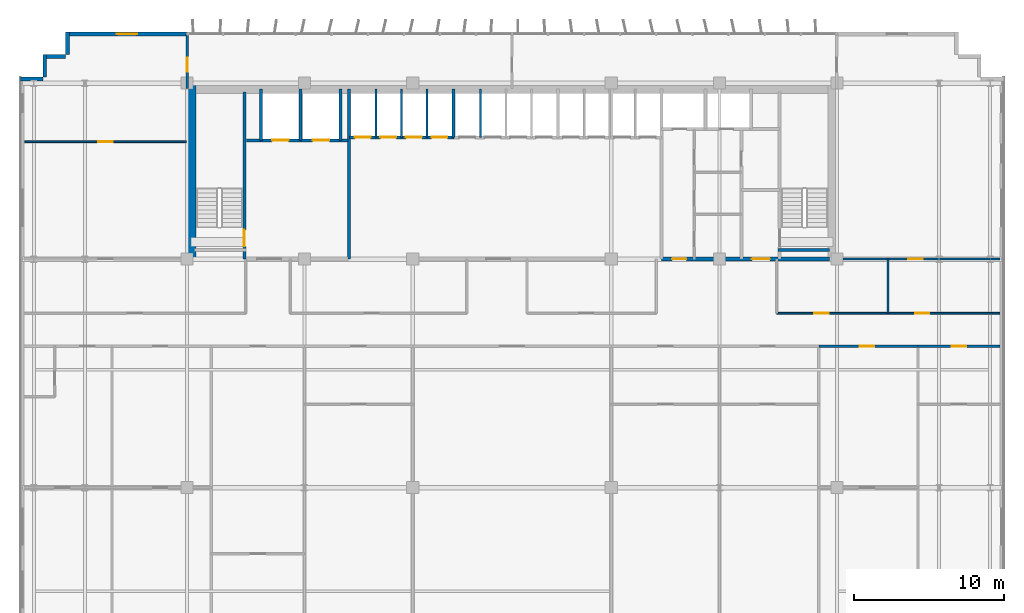
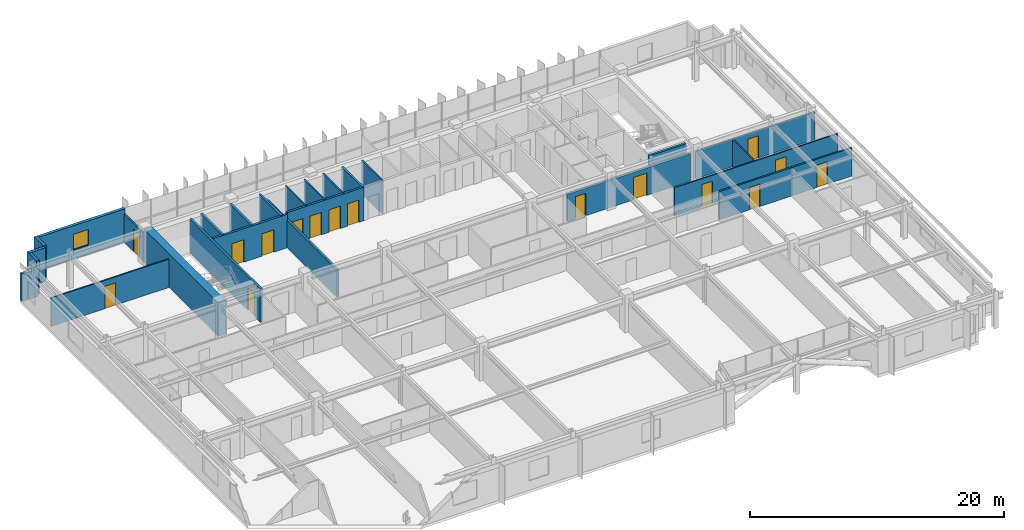
# One storey, part 21 of 26: 27 walls, 16 doors, 1 window, 17 openings.
"""IFC4 building model written with IfcOpenShell, lengths in metres."""

from ifc_helpers import new_model, si_unit, direction, frame, frame_2d, origin, place, context, subcontext, project, spatial, rectangle, extrude, source, transform, mapped, material, layer, layer_set, type_object, element, fill, save


model = new_model("IFC4")

# Units and contexts
model_context = context("Model", 3, precision=1e-05, world=origin(), true_north=direction((0.0, 1.0)))
body_context = subcontext(model_context, "Body", "Model", "MODEL_VIEW")
ifc_project = project(units=[si_unit("LENGTHUNIT", "METRE"), si_unit("AREAUNIT", "SQUARE_METRE"), si_unit("VOLUMEUNIT", "CUBIC_METRE"), si_unit("PLANEANGLEUNIT", "RADIAN"), si_unit("MASSUNIT", "GRAM", prefix="KILO")], contexts=[model_context])

# Site, building, storey
site_placement = place(None, origin())
site = spatial("IfcSite", under=ifc_project, at=site_placement, CompositionType="ELEMENT")
building_placement = place(site_placement, origin())
building = spatial("IfcBuilding", under=site, at=building_placement, Name="Trelvane Seafront Commons", CompositionType="ELEMENT")
storey_placement = place(building_placement, frame((0.0, 0.0, 128.5)))
storey = spatial("IfcBuildingStorey", under=building, at=storey_placement, Name="L33", CompositionType="ELEMENT", Elevation=128.5)

# Wall, opening, window
ifc_material_1 = material(Name="Precast concrete C40/50", Category="concrete")
ifc_layer_1 = layer(ifc_material_1, 0.260009765625, Name="ARCH-WALL-EXT260")
ifc_layer_set_1 = layer_set([ifc_layer_1], Name="Precast concrete C40/50")
wall_type_1 = type_object("IfcWallType", Name="ARCH-WALL-EXT260", PredefinedType="SOLIDWALL", material=ifc_layer_set_1)
wall_1_placement = place(storey_placement, frame((7.60009765625, 48.3701171875, 0.0), z_axis=(0.0, 0.0, 1.0), x_axis=(1.0, 0.0, 0.0)))
wall_1 = element("IfcWall", 1, at=wall_1_placement, inside=storey, type_object=wall_type_1, Name="EW-L33-NW-0629", PredefinedType="SOLIDWALL", context=body_context, shape_type="SweptSolid", body=[
    extrude(rectangle(XDim=8.0, YDim=0.260009765625, at=frame_2d((4.0, 0.0))), origin(), (0.0, 0.0, 1.0), 3.219970703125),
])
opening_1_placement = place(wall_1_placement, frame((3.324951171875, 0.0, 0.89990234375)))
opening_1 = element("IfcOpeningElement", 2, at=opening_1_placement, cuts=wall_1, Name="Opening W09", PredefinedType="OPENING", context=body_context, shape_type="SweptSolid", body=[
    extrude(rectangle(XDim=1.35009765625, YDim=1.5, at=frame_2d((0.675048828125, 0.75))), frame((0.0, 0.139892578125, 0.0), z_axis=(0.0, -1.0, 0.0), x_axis=(1.0, 0.0, 0.0)), (0.0, 0.0, 1.0), 0.280029296875),
])
ifc_material_2 = material(Name="Low-E coastal double glazing", Category="glass")
window_type = type_object("IfcWindowType", Name="ARCH-WIN-W09", PartitioningType="SINGLE_PANEL", PredefinedType="WINDOW", material=ifc_material_2)
shared_shape_1 = source(origin(), body_context, "Body", "SweptSolid", [
    extrude(rectangle(XDim=1.35009765625, YDim=1.5, at=frame_2d((0.675048828125, 0.75))), frame((0.0, 0.030029296875, 0.0), z_axis=(0.0, -1.0, 0.0), x_axis=(1.0, 0.0, 0.0)), (0.0, 0.0, 1.0), 0.06005859375),
])
window_placement = place(opening_1_placement, origin())
window = element("IfcWindow", 3, at=window_placement, inside=storey, type_object=window_type, Name="WIN-L33-00739", OverallHeight=1.5, OverallWidth=1.35009765625, PartitioningType="SINGLE_PANEL", PredefinedType="WINDOW", context=body_context, shape_type="MappedRepresentation", body=[
    mapped(shared_shape_1, transform((0.0, 0.0, 0.0), x_axis=(1.0, 0.0, 0.0), y_axis=(0.0, 1.0, 0.0), z_axis=(0.0, 0.0, 1.0), scale=1.0)),
])
fill(opening_1, window)

# Walls
wall_2_placement = place(storey_placement, frame((4.5, 45.3701171875, 0.0), z_axis=(0.0, 0.0, 1.0), x_axis=(1.0, 0.0, 0.0)))
element("IfcWall", 4, at=wall_2_placement, inside=storey, type_object=wall_type_1, Name="EW-L33-00635", PredefinedType="SOLIDWALL", context=body_context, shape_type="SweptSolid", body=[
    extrude(rectangle(XDim=1.5, YDim=0.260009765625, at=frame_2d((0.75, 0.0))), origin(), (0.0, 0.0, 1.0), 2.632080078125),
])
for number, where, z_axis, x_axis, name in (
    (5, (6.1298828125, 45.5, 0.0), (0.0, 0.0, 1.0), (0.0, 1.0, 0.0), "EW-L33-00636"),
    (6, (6.0, 46.8701171875, 0.0), (0.0, 0.0, 1.0), (1.0, 0.0, 0.0), "EW-L33-00637"),
    (7, (7.6298828125, 47.0, 0.0), (0.0, 0.0, 1.0), (0.0, 1.0, 0.0), "EW-L33-00638"),
):
    element("IfcWall", number, at=place(storey_placement, frame(where, z_axis=z_axis, x_axis=x_axis)), inside=storey, type_object=wall_type_1, Name=name, PredefinedType="SOLIDWALL", context=body_context, shape_type="SweptSolid", body=[
        extrude(rectangle(XDim=1.5, YDim=0.260009765625, at=frame_2d((0.75, 0.0))), origin(), (0.0, 0.0, 1.0), 3.219970703125),
    ])

# Wall, openings, doors
ifc_material_3 = material(Name="Concrete C40/50", Category="concrete")
ifc_layer_2 = layer(ifc_material_3, 0.25, Name="ARCH-WALL-FIRE250")
ifc_layer_set_2 = layer_set([ifc_layer_2], Name="Concrete C40/50")
wall_type_2 = type_object("IfcWallType", Name="ARCH-WALL-FIRE250", PredefinedType="PARTITIONING", material=ifc_layer_set_2)
wall_3_placement = place(storey_placement, frame((47.14990234375, 33.39990234375, 0.0), z_axis=(0.0, 0.0, 1.0), x_axis=(1.0, 0.0, 0.0)))
wall_3 = element("IfcWall", 8, at=wall_3_placement, inside=storey, type_object=wall_type_2, Name="W-L33-CS-EAST-038", PredefinedType="PARTITIONING", context=body_context, shape_type="SweptSolid", body=[
    extrude(rectangle(XDim=11.150146484375, YDim=0.25, at=frame_2d((5.5751953125, 0.0))), origin(), (0.0, 0.0, 1.0), 2.632080078125),
])
opening_2_placement = place(wall_3_placement, frame((0.699951171875, 0.0, 0.0)))
opening_2 = element("IfcOpeningElement", 9, at=opening_2_placement, cuts=wall_3, Name="Opening FD-L33-25", PredefinedType="OPENING", context=body_context, shape_type="SweptSolid", body=[
    extrude(rectangle(XDim=0.949951171875, YDim=2.14990234375, at=frame_2d((0.47509765625, 1.074951171875))), frame((0.0, 0.135009765625, 0.0), z_axis=(0.0, -1.0, 0.0), x_axis=(1.0, 0.0, 0.0)), (0.0, 0.0, 1.0), 0.27001953125),
])
opening_3_placement = place(wall_3_placement, frame((6.0, 0.0, 0.0)))
opening_3 = element("IfcOpeningElement", 10, at=opening_3_placement, cuts=wall_3, Name="Opening FD-L33-26", PredefinedType="OPENING", context=body_context, shape_type="SweptSolid", body=[
    extrude(rectangle(XDim=1.199951171875, YDim=2.14990234375, at=frame_2d((0.60009765625, 1.074951171875))), frame((0.0, 0.135009765625, 0.0), z_axis=(0.0, -1.0, 0.0), x_axis=(1.0, 0.0, 0.0)), (0.0, 0.0, 1.0), 0.27001953125),
])
ifc_material_4 = material(Name="Powder-coated aluminium frame", Category="aluminium")
door_type_1 = type_object("IfcDoorType", Name="ARCH-DR-FD60-950", OperationType="NOTDEFINED", PredefinedType="DOOR", material=ifc_material_4)
shared_shape_2 = source(origin(), body_context, "Body", "SweptSolid", [
    extrude(rectangle(XDim=0.949951171875, YDim=2.14990234375, at=frame_2d((0.47509765625, 1.074951171875))), frame((0.0, 0.02490234375, 0.0), z_axis=(0.0, -1.0, 0.0), x_axis=(1.0, 0.0, 0.0)), (0.0, 0.0, 1.0), 0.050048828125),
])
door_1_placement = place(opening_2_placement, origin())
door_1 = element("IfcDoor", 11, at=door_1_placement, inside=storey, type_object=door_type_1, Name="L33 Core Service Lobby Door", OperationType="SINGLE_SWING_LEFT", OverallHeight=2.14990234375, OverallWidth=0.949951171875, PredefinedType="DOOR", context=body_context, shape_type="MappedRepresentation", body=[
    mapped(shared_shape_2, transform((0.0, 0.0, 0.0), x_axis=(1.0, 0.0, 0.0), y_axis=(0.0, 1.0, 0.0), z_axis=(0.0, 0.0, 1.0), scale=1.0)),
])
fill(opening_2, door_1)
door_type_2 = type_object("IfcDoorType", Name="ARCH-DR-FD60-1200", OperationType="NOTDEFINED", PredefinedType="DOOR", material=ifc_material_4)
shared_shape_3 = source(origin(), body_context, "Body", "SweptSolid", [
    extrude(rectangle(XDim=1.199951171875, YDim=2.14990234375, at=frame_2d((0.60009765625, 1.074951171875))), frame((0.0, 0.02490234375, 0.0), z_axis=(0.0, -1.0, 0.0), x_axis=(1.0, 0.0, 0.0)), (0.0, 0.0, 1.0), 0.050048828125),
])
door_2_placement = place(opening_3_placement, origin())
door_2 = element("IfcDoor", 12, at=door_2_placement, inside=storey, type_object=door_type_2, Name="L33 East Stair Vestibule Fire Door", OperationType="SINGLE_SWING_RIGHT", OverallHeight=2.14990234375, OverallWidth=1.199951171875, PredefinedType="DOOR", context=body_context, shape_type="MappedRepresentation", body=[
    mapped(shared_shape_3, transform((0.0, 0.0, 0.0), x_axis=(1.0, 0.0, 0.0), y_axis=(0.0, 1.0, 0.0), z_axis=(0.0, 0.0, 1.0), scale=1.0)),
])
fill(opening_3, door_2)

# Walls
ifc_material_5 = material(Name="Gypsum Drywall Acoustic Partition")
ifc_layer_3 = layer(ifc_material_5, 0.1201171875, Name="ARCH-WALL-PART120")
ifc_layer_set_3 = layer_set([ifc_layer_3], Name="Gypsum Drywall Acoustic Partition")
wall_type_3 = type_object("IfcWallType", Name="ARCH-WALL-PART120", PredefinedType="PARTITIONING", material=ifc_layer_set_3)
for number, where, z_axis, x_axis, name in (
    (13, (28.14990234375, 41.5, 0.0), (0.0, 0.0, 1.0), (0.0, 1.0, 0.0), "W-L33-PL-DIV1-016"),
    (14, (29.85009765625, 41.5, 0.0), (0.0, 0.0, 1.0), (0.0, 1.0, 0.0), "W-L33-PL-DIV2-017"),
    (15, (31.550048828125, 41.5, 0.0), (0.0, 0.0, 1.0), (0.0, 1.0, 0.0), "W-L33-PL-DIV3-018"),
    (16, (35.10009765625, 41.5, 0.0), (0.0, 0.0, 1.0), (0.0, 1.0, 0.0), "W-L33-PM-DIV1-020"),
):
    element("IfcWall", number, at=place(storey_placement, frame(where, z_axis=z_axis, x_axis=x_axis)), inside=storey, type_object=wall_type_3, Name=name, PredefinedType="PARTITIONING", context=body_context, shape_type="SweptSolid", body=[
        extrude(rectangle(XDim=3.199951171875, YDim=0.1201171875, at=frame_2d((1.60009765625, 0.0))), origin(), (0.0, 0.0, 1.0), 3.219970703125),
    ])

# Wall, openings, doors
wall_4_placement = place(storey_placement, frame((54.800048828125, 29.800048828125, 0.0), z_axis=(0.0, 0.0, 1.0), x_axis=(1.0, 0.0, 0.0)))
wall_4 = element("IfcWall", 17, at=wall_4_placement, inside=storey, type_object=wall_type_3, Name="W-L33-CORR-N-E-042", PredefinedType="PARTITIONING", context=body_context, shape_type="SweptSolid", body=[
    extrude(rectangle(XDim=14.849853515625, YDim=0.1201171875, at=frame_2d((7.4248046875, 0.0))), origin(), (0.0, 0.0, 1.0), 2.719970703125),
])
opening_4_placement = place(wall_4_placement, frame((2.5, 0.0, 0.0)))
opening_4 = element("IfcOpeningElement", 18, at=opening_4_placement, cuts=wall_4, Name="Opening D-L33-30", PredefinedType="OPENING", context=body_context, shape_type="SweptSolid", body=[
    extrude(rectangle(XDim=0.949951171875, YDim=2.14990234375, at=frame_2d((0.47509765625, 1.074951171875))), frame((0.0, 0.070068359375, 0.0), z_axis=(0.0, -1.0, 0.0), x_axis=(1.0, 0.0, 0.0)), (0.0, 0.0, 1.0), 0.14013671875),
])
opening_5_placement = place(wall_4_placement, frame((9.199951171875, 0.0, 0.0)))
opening_5 = element("IfcOpeningElement", 19, at=opening_5_placement, cuts=wall_4, Name="Opening D-L33-31", PredefinedType="OPENING", context=body_context, shape_type="SweptSolid", body=[
    extrude(rectangle(XDim=0.949951171875, YDim=2.14990234375, at=frame_2d((0.47509765625, 1.074951171875))), frame((0.0, 0.070068359375, 0.0), z_axis=(0.0, -1.0, 0.0), x_axis=(1.0, 0.0, 0.0)), (0.0, 0.0, 1.0), 0.14013671875),
])
ifc_material_6 = material(Name="Acoustic timber door leaf", Category="wood")
door_type_3 = type_object("IfcDoorType", Name="ARCH-DR-INT950", OperationType="NOTDEFINED", PredefinedType="DOOR", material=ifc_material_6)
door_3_placement = place(opening_4_placement, origin())
door_3 = element("IfcDoor", 20, at=door_3_placement, inside=storey, type_object=door_type_3, Name="L33 Door 30", OperationType="SINGLE_SWING_RIGHT", OverallHeight=2.14990234375, OverallWidth=0.949951171875, PredefinedType="DOOR", context=body_context, shape_type="MappedRepresentation", body=[
    mapped(shared_shape_2, transform((0.0, 0.0, 0.0), x_axis=(1.0, 0.0, 0.0), y_axis=(0.0, 1.0, 0.0), z_axis=(0.0, 0.0, 1.0), scale=1.0)),
])
fill(opening_4, door_3)
door_4_placement = place(opening_5_placement, origin())
door_4 = element("IfcDoor", 21, at=door_4_placement, inside=storey, type_object=door_type_3, Name="L33 Door 31", OperationType="SINGLE_SWING_LEFT", OverallHeight=2.14990234375, OverallWidth=0.949951171875, PredefinedType="DOOR", context=body_context, shape_type="MappedRepresentation", body=[
    mapped(shared_shape_2, transform((0.0, 0.0, 0.0), x_axis=(1.0, 0.0, 0.0), y_axis=(0.0, 1.0, 0.0), z_axis=(0.0, 0.0, 1.0), scale=1.0)),
])
fill(opening_5, door_4)

# Wall
wall_5_placement = place(storey_placement, frame((62.199951171875, 29.800048828125, 0.0), z_axis=(0.0, 0.0, 1.0), x_axis=(0.0, 1.0, 0.0)))
element("IfcWall", 22, at=wall_5_placement, inside=storey, type_object=wall_type_3, Name="W-L33-N-LAUN-DV-043", PredefinedType="PARTITIONING", context=body_context, shape_type="SweptSolid", body=[
    extrude(rectangle(XDim=3.599853515625, YDim=0.1201171875, at=frame_2d((1.7998046875, 0.0))), origin(), (0.0, 0.0, 1.0), 2.632080078125),
])

# Wall, opening, door
wall_6_placement = place(storey_placement, frame((4.800048828125, 41.199951171875, 0.0), z_axis=(0.0, 0.0, 1.0), x_axis=(1.0, 0.0, 0.0)))
wall_6 = element("IfcWall", 23, at=wall_6_placement, inside=storey, type_object=wall_type_3, Name="W-L33-NW-LGDV-050", PredefinedType="PARTITIONING", context=body_context, shape_type="SweptSolid", body=[
    extrude(rectangle(XDim=10.75, YDim=0.1201171875, at=frame_2d((5.375, 0.0))), origin(), (0.0, 0.0, 1.0), 2.719970703125),
])
opening_6_placement = place(wall_6_placement, frame((4.89990234375, 0.0, 0.0)))
opening_6 = element("IfcOpeningElement", 24, at=opening_6_placement, cuts=wall_6, Name="Opening D-L33-32", PredefinedType="OPENING", context=body_context, shape_type="SweptSolid", body=[
    extrude(rectangle(XDim=0.949951171875, YDim=2.14990234375, at=frame_2d((0.47509765625, 1.074951171875))), frame((0.0, 0.070068359375, 0.0), z_axis=(0.0, -1.0, 0.0), x_axis=(1.0, 0.0, 0.0)), (0.0, 0.0, 1.0), 0.14013671875),
])
door_5_placement = place(opening_6_placement, origin())
door_5 = element("IfcDoor", 25, at=door_5_placement, inside=storey, type_object=door_type_3, Name="L33 Door 32", OperationType="SINGLE_SWING_RIGHT", OverallHeight=2.14990234375, OverallWidth=0.949951171875, PredefinedType="DOOR", context=body_context, shape_type="MappedRepresentation", body=[
    mapped(shared_shape_2, transform((0.0, 0.0, 0.0), x_axis=(1.0, 0.0, 0.0), y_axis=(0.0, 1.0, 0.0), z_axis=(0.0, 0.0, 1.0), scale=1.0)),
])
fill(opening_6, door_5)

ifc_layer_4 = layer(ifc_material_5, 0.14990234375, Name="ARCH-WALL-PART150")
ifc_layer_set_4 = layer_set([ifc_layer_4], Name="Gypsum Drywall Acoustic Partition")
wall_type_4 = type_object("IfcWallType", Name="ARCH-WALL-PART150", PredefinedType="PARTITIONING", material=ifc_layer_set_4)
wall_7_placement = place(storey_placement, frame((58.800048828125, 33.39990234375, 0.0), z_axis=(0.0, 0.0, 1.0), x_axis=(1.0, 0.0, 0.0)))
wall_7 = element("IfcWall", 26, at=wall_7_placement, inside=storey, type_object=wall_type_4, Name="W-L33-NE-ENT-052", PredefinedType="PARTITIONING", context=body_context, shape_type="SweptSolid", body=[
    extrude(rectangle(XDim=10.849853515625, YDim=0.14990234375, at=frame_2d((5.4248046875, 0.0))), origin(), (0.0, 0.0, 1.0), 2.632080078125),
])
opening_7_placement = place(wall_7_placement, frame((4.760009765625, 0.0, 0.0)))
opening_7 = element("IfcOpeningElement", 27, at=opening_7_placement, cuts=wall_7, Name="Opening FD-L33-34", PredefinedType="OPENING", context=body_context, shape_type="SweptSolid", body=[
    extrude(rectangle(XDim=0.949951171875, YDim=2.14990234375, at=frame_2d((0.47509765625, 1.074951171875))), frame((0.0, 0.0849609375, 0.0), z_axis=(0.0, -1.0, 0.0), x_axis=(1.0, 0.0, 0.0)), (0.0, 0.0, 1.0), 0.169921875),
])
door_6_placement = place(opening_7_placement, origin())
door_6 = element("IfcDoor", 28, at=door_6_placement, inside=storey, type_object=door_type_1, Name="L33 NE Suite Entrance Door", OperationType="SINGLE_SWING_RIGHT", OverallHeight=2.14990234375, OverallWidth=0.949951171875, PredefinedType="DOOR", context=body_context, shape_type="MappedRepresentation", body=[
    mapped(shared_shape_2, transform((0.0, 0.0, 0.0), x_axis=(1.0, 0.0, 0.0), y_axis=(0.0, 1.0, 0.0), z_axis=(0.0, 0.0, 1.0), scale=1.0)),
])
fill(opening_7, door_6)

wall_8_placement = place(storey_placement, frame((15.60009765625, 44.75, 0.0), z_axis=(0.0, 0.0, 1.0), x_axis=(0.0, 1.0, 0.0)))
wall_8 = element("IfcWall", 29, at=wall_8_placement, inside=storey, type_object=wall_type_4, Name="W-L33-N-LINK-W-054", PredefinedType="PARTITIONING", context=body_context, shape_type="SweptSolid", body=[
    extrude(rectangle(XDim=3.610107421875, YDim=0.14990234375, at=frame_2d((1.80517578125, 0.0))), origin(), (0.0, 0.0, 1.0), 2.719970703125),
])
opening_8_placement = place(wall_8_placement, frame((1.10009765625, 0.0, 0.0)))
opening_8 = element("IfcOpeningElement", 30, at=opening_8_placement, cuts=wall_8, Name="Opening FD-L33-36", PredefinedType="OPENING", context=body_context, shape_type="SweptSolid", body=[
    extrude(rectangle(XDim=0.949951171875, YDim=2.14990234375, at=frame_2d((0.47509765625, 1.074951171875))), frame((0.0, 0.0849609375, 0.0), z_axis=(0.0, -1.0, 0.0), x_axis=(1.0, 0.0, 0.0)), (0.0, 0.0, 1.0), 0.169921875),
])
door_7_placement = place(opening_8_placement, origin())
door_7 = element("IfcDoor", 31, at=door_7_placement, inside=storey, type_object=door_type_1, Name="L33 Door 36", OperationType="SINGLE_SWING_RIGHT", OverallHeight=2.14990234375, OverallWidth=0.949951171875, PredefinedType="DOOR", context=body_context, shape_type="MappedRepresentation", body=[
    mapped(shared_shape_2, transform((0.0, 0.0, 0.0), x_axis=(1.0, 0.0, 0.0), y_axis=(0.0, 1.0, 0.0), z_axis=(0.0, 0.0, 1.0), scale=1.0)),
])
fill(opening_8, door_7)

wall_9_placement = place(storey_placement, frame((57.60009765625, 27.60009765625, 0.0), z_axis=(0.0, 0.0, 1.0), x_axis=(1.0, 0.0, 0.0)))
wall_9 = element("IfcWall", 32, at=wall_9_placement, inside=storey, type_object=wall_type_4, Name="W-L33-CS-BAY-8-080", PredefinedType="PARTITIONING", context=body_context, shape_type="SweptSolid", body=[
    extrude(rectangle(XDim=6.599853515625, YDim=0.14990234375, at=frame_2d((3.2998046875, 0.0))), origin(), (0.0, 0.0, 1.0), 2.719970703125),
])
opening_9_placement = place(wall_9_placement, frame((2.73388671875, 0.0, 0.0)))
opening_9 = element("IfcOpeningElement", 33, at=opening_9_placement, cuts=wall_9, Name="Opening FD-L33-53", PredefinedType="OPENING", context=body_context, shape_type="SweptSolid", body=[
    extrude(rectangle(XDim=0.949951171875, YDim=2.14990234375, at=frame_2d((0.47509765625, 1.074951171875))), frame((0.0, 0.0849609375, 0.0), z_axis=(0.0, -1.0, 0.0), x_axis=(1.0, 0.0, 0.0)), (0.0, 0.0, 1.0), 0.169921875),
])
door_8_placement = place(opening_9_placement, origin())
door_8 = element("IfcDoor", 34, at=door_8_placement, inside=storey, type_object=door_type_1, Name="L33 Bay 08 Entrance Door", OperationType="SINGLE_SWING_LEFT", OverallHeight=2.14990234375, OverallWidth=0.949951171875, PredefinedType="DOOR", context=body_context, shape_type="MappedRepresentation", body=[
    mapped(shared_shape_2, transform((0.0, 0.0, 0.0), x_axis=(1.0, 0.0, 0.0), y_axis=(0.0, 1.0, 0.0), z_axis=(0.0, 0.0, 1.0), scale=1.0)),
])
fill(opening_9, door_8)

wall_10_placement = place(storey_placement, frame((64.199951171875, 27.60009765625, 0.0), z_axis=(0.0, 0.0, 1.0), x_axis=(1.0, 0.0, 0.0)))
wall_10 = element("IfcWall", 35, at=wall_10_placement, inside=storey, type_object=wall_type_4, Name="W-L33-CS-BAY-9-082", PredefinedType="PARTITIONING", context=body_context, shape_type="SweptSolid", body=[
    extrude(rectangle(XDim=5.455078125, YDim=0.14990234375, at=frame_2d((2.7275390625, 0.0))), origin(), (0.0, 0.0, 1.0), 2.719970703125),
])
opening_10_placement = place(wall_10_placement, frame((2.251953125, 0.0, 0.0)))
opening_10 = element("IfcOpeningElement", 36, at=opening_10_placement, cuts=wall_10, Name="Opening FD-L33-55", PredefinedType="OPENING", context=body_context, shape_type="SweptSolid", body=[
    extrude(rectangle(XDim=0.949951171875, YDim=2.14990234375, at=frame_2d((0.47509765625, 1.074951171875))), frame((0.0, 0.0849609375, 0.0), z_axis=(0.0, -1.0, 0.0), x_axis=(1.0, 0.0, 0.0)), (0.0, 0.0, 1.0), 0.169921875),
])
door_9_placement = place(opening_10_placement, origin())
door_9 = element("IfcDoor", 37, at=door_9_placement, inside=storey, type_object=door_type_1, Name="L33 Bay 09 Entrance Door", OperationType="SINGLE_SWING_LEFT", OverallHeight=2.14990234375, OverallWidth=0.949951171875, PredefinedType="DOOR", context=body_context, shape_type="MappedRepresentation", body=[
    mapped(shared_shape_2, transform((0.0, 0.0, 0.0), x_axis=(1.0, 0.0, 0.0), y_axis=(0.0, 1.0, 0.0), z_axis=(0.0, 0.0, 1.0), scale=1.0)),
])
fill(opening_10, door_9)

# Wall, openings, doors
ifc_layer_5 = layer(ifc_material_3, 0.199951171875, Name="ARCH-WALL-SHAFT200")
ifc_layer_set_5 = layer_set([ifc_layer_5], Name="Concrete C40/50")
wall_type_5 = type_object("IfcWallType", Name="ARCH-WALL-SHAFT200", PredefinedType="SOLIDWALL", material=ifc_layer_set_5)
wall_11_placement = place(storey_placement, frame((19.550048828125, 41.300048828125, 0.0), z_axis=(0.0, 0.0, 1.0), x_axis=(1.0, 0.0, 0.0)))
wall_11 = element("IfcWall", 38, at=wall_11_placement, inside=storey, type_object=wall_type_5, Name="W-L33-FFL-FRONT-008", PredefinedType="SOLIDWALL", context=body_context, shape_type="SweptSolid", body=[
    extrude(rectangle(XDim=6.75, YDim=0.199951171875, at=frame_2d((3.375, 0.0))), origin(), (0.0, 0.0, 1.0), 3.219970703125),
])
opening_11_placement = place(wall_11_placement, frame((1.699951171875, 0.0, 0.0)))
opening_11 = element("IfcOpeningElement", 39, at=opening_11_placement, cuts=wall_11, Name="Opening LD-FF1-L33", PredefinedType="OPENING", context=body_context, shape_type="SweptSolid", body=[
    extrude(rectangle(XDim=1.10009765625, YDim=2.14990234375, at=frame_2d((0.550048828125, 1.074951171875))), frame((0.0, 0.10986328125, 0.0), z_axis=(0.0, -1.0, 0.0), x_axis=(1.0, 0.0, 0.0)), (0.0, 0.0, 1.0), 0.219970703125),
])
opening_12_placement = place(wall_11_placement, frame((4.39990234375, 0.0, 0.0)))
opening_12 = element("IfcOpeningElement", 40, at=opening_12_placement, cuts=wall_11, Name="Opening LD-FF2-L33", PredefinedType="OPENING", context=body_context, shape_type="SweptSolid", body=[
    extrude(rectangle(XDim=1.10009765625, YDim=2.14990234375, at=frame_2d((0.550048828125, 1.074951171875))), frame((0.0, 0.10986328125, 0.0), z_axis=(0.0, -1.0, 0.0), x_axis=(1.0, 0.0, 0.0)), (0.0, 0.0, 1.0), 0.219970703125),
])
ifc_material_7 = material(Name="Stainless steel balustrade", Category="steel")
door_type_4 = type_object("IfcDoorType", Name="ARCH-DR-LD1100", OperationType="DOUBLE_DOOR_SLIDING", PredefinedType="DOOR", material=ifc_material_7)
shared_shape_4 = source(origin(), body_context, "Body", "SweptSolid", [
    extrude(rectangle(XDim=1.10009765625, YDim=2.14990234375, at=frame_2d((0.550048828125, 1.074951171875))), frame((0.0, 0.02490234375, 0.0), z_axis=(0.0, -1.0, 0.0), x_axis=(1.0, 0.0, 0.0)), (0.0, 0.0, 1.0), 0.050048828125),
])
door_10_placement = place(opening_11_placement, origin())
door_10 = element("IfcDoor", 41, at=door_10_placement, inside=storey, type_object=door_type_4, Name="L33 Firefighting Lift FFL-1 Landing Door", OperationType="DOUBLE_DOOR_SLIDING", OverallHeight=2.14990234375, OverallWidth=1.10009765625, PredefinedType="DOOR", context=body_context, shape_type="MappedRepresentation", body=[
    mapped(shared_shape_4, transform((0.0, 0.0, 0.0), x_axis=(1.0, 0.0, 0.0), y_axis=(0.0, 1.0, 0.0), z_axis=(0.0, 0.0, 1.0), scale=1.0)),
])
fill(opening_11, door_10)
door_11_placement = place(opening_12_placement, origin())
door_11 = element("IfcDoor", 42, at=door_11_placement, inside=storey, type_object=door_type_4, Name="L33 Firefighting Lift FFL-2 Landing Door", OperationType="DOUBLE_DOOR_SLIDING", OverallHeight=2.14990234375, OverallWidth=1.10009765625, PredefinedType="DOOR", context=body_context, shape_type="MappedRepresentation", body=[
    mapped(shared_shape_4, transform((0.0, 0.0, 0.0), x_axis=(1.0, 0.0, 0.0), y_axis=(0.0, 1.0, 0.0), z_axis=(0.0, 0.0, 1.0), scale=1.0)),
])
fill(opening_12, door_11)

# Walls
for number, where, z_axis, x_axis, name in (
    (43, (20.5, 41.300048828125, 0.0), (0.0, 0.0, 1.0), (0.0, 1.0, 0.0), "W-L33-FFL-SH-W-009"),
    (44, (23.14990234375, 41.300048828125, 0.0), (0.0, 0.0, 1.0), (0.0, 1.0, 0.0), "W-L33-FFL-DIV-010"),
    (45, (25.800048828125, 41.300048828125, 0.0), (0.0, 0.0, 1.0), (0.0, 1.0, 0.0), "W-L33-FFL-SH-E-011"),
):
    element("IfcWall", number, at=place(storey_placement, frame(where, z_axis=z_axis, x_axis=x_axis)), inside=storey, type_object=wall_type_5, Name=name, PredefinedType="SOLIDWALL", context=body_context, shape_type="SweptSolid", body=[
        extrude(rectangle(XDim=3.39990234375, YDim=0.199951171875, at=frame_2d((1.699951171875, 0.0))), origin(), (0.0, 0.0, 1.0), 3.219970703125),
    ])
wall_12_placement = place(storey_placement, frame((26.35009765625, 33.39990234375, 0.0), z_axis=(0.0, 0.0, 1.0), x_axis=(0.0, 1.0, 0.0)))
element("IfcWall", 46, at=wall_12_placement, inside=storey, type_object=wall_type_5, Name="W-L33-FFL-EAST-012", PredefinedType="SOLIDWALL", context=body_context, shape_type="SweptSolid", body=[
    extrude(rectangle(XDim=11.300048828125, YDim=0.199951171875, at=frame_2d((5.64990234375, 0.0))), origin(), (0.0, 0.0, 1.0), 2.632080078125),
])

# Wall, openings, doors
wall_13_placement = place(storey_placement, frame((26.39990234375, 41.5, 0.0), z_axis=(0.0, 0.0, 1.0), x_axis=(1.0, 0.0, 0.0)))
wall_13 = element("IfcWall", 47, at=wall_13_placement, inside=storey, type_object=wall_type_5, Name="W-L33-PL-FRONT-014", PredefinedType="SOLIDWALL", context=body_context, shape_type="SweptSolid", body=[
    extrude(rectangle(XDim=6.9501953125, YDim=0.199951171875, at=frame_2d((3.47509765625, 0.0))), origin(), (0.0, 0.0, 1.0), 3.219970703125),
])
opening_13_placement = place(wall_13_placement, frame((0.35009765625, 0.0, 0.0)))
opening_13 = element("IfcOpeningElement", 48, at=opening_13_placement, cuts=wall_13, Name="Opening LD-PL1-L33", PredefinedType="OPENING", context=body_context, shape_type="SweptSolid", body=[
    extrude(rectangle(XDim=1.050048828125, YDim=2.14990234375, at=frame_2d((0.52490234375, 1.074951171875))), frame((0.0, 0.10986328125, 0.0), z_axis=(0.0, -1.0, 0.0), x_axis=(1.0, 0.0, 0.0)), (0.0, 0.0, 1.0), 0.219970703125),
])
opening_14_placement = place(wall_13_placement, frame((2.050048828125, 0.0, 0.0)))
opening_14 = element("IfcOpeningElement", 49, at=opening_14_placement, cuts=wall_13, Name="Opening LD-PL2-L33", PredefinedType="OPENING", context=body_context, shape_type="SweptSolid", body=[
    extrude(rectangle(XDim=1.050048828125, YDim=2.14990234375, at=frame_2d((0.52490234375, 1.074951171875))), frame((0.0, 0.10986328125, 0.0), z_axis=(0.0, -1.0, 0.0), x_axis=(1.0, 0.0, 0.0)), (0.0, 0.0, 1.0), 0.219970703125),
])
opening_15_placement = place(wall_13_placement, frame((3.75, 0.0, 0.0)))
opening_15 = element("IfcOpeningElement", 50, at=opening_15_placement, cuts=wall_13, Name="Opening LD-PL3-L33", PredefinedType="OPENING", context=body_context, shape_type="SweptSolid", body=[
    extrude(rectangle(XDim=1.050048828125, YDim=2.14990234375, at=frame_2d((0.52490234375, 1.074951171875))), frame((0.0, 0.10986328125, 0.0), z_axis=(0.0, -1.0, 0.0), x_axis=(1.0, 0.0, 0.0)), (0.0, 0.0, 1.0), 0.219970703125),
])
opening_16_placement = place(wall_13_placement, frame((5.449951171875, 0.0, 0.0)))
opening_16 = element("IfcOpeningElement", 51, at=opening_16_placement, cuts=wall_13, Name="Opening LD-PL4-L33", PredefinedType="OPENING", context=body_context, shape_type="SweptSolid", body=[
    extrude(rectangle(XDim=1.050048828125, YDim=2.14990234375, at=frame_2d((0.52490234375, 1.074951171875))), frame((0.0, 0.10986328125, 0.0), z_axis=(0.0, -1.0, 0.0), x_axis=(1.0, 0.0, 0.0)), (0.0, 0.0, 1.0), 0.219970703125),
])
door_type_5 = type_object("IfcDoorType", Name="ARCH-DR-LD1050", OperationType="DOUBLE_DOOR_SLIDING", PredefinedType="DOOR", material=ifc_material_7)
shared_shape_5 = source(origin(), body_context, "Body", "SweptSolid", [
    extrude(rectangle(XDim=1.050048828125, YDim=2.14990234375, at=frame_2d((0.52490234375, 1.074951171875))), frame((0.0, 0.02490234375, 0.0), z_axis=(0.0, -1.0, 0.0), x_axis=(1.0, 0.0, 0.0)), (0.0, 0.0, 1.0), 0.050048828125),
])
door_12_placement = place(opening_13_placement, origin())
door_12 = element("IfcDoor", 52, at=door_12_placement, inside=storey, type_object=door_type_5, Name="L33 Passenger Lift PL-1 Landing Door", OperationType="DOUBLE_DOOR_SLIDING", OverallHeight=2.14990234375, OverallWidth=1.050048828125, PredefinedType="DOOR", context=body_context, shape_type="MappedRepresentation", body=[
    mapped(shared_shape_5, transform((0.0, 0.0, 0.0), x_axis=(1.0, 0.0, 0.0), y_axis=(0.0, 1.0, 0.0), z_axis=(0.0, 0.0, 1.0), scale=1.0)),
])
fill(opening_13, door_12)
door_13_placement = place(opening_14_placement, origin())
door_13 = element("IfcDoor", 53, at=door_13_placement, inside=storey, type_object=door_type_5, Name="L33 Passenger Lift PL-2 Landing Door", OperationType="DOUBLE_DOOR_SLIDING", OverallHeight=2.14990234375, OverallWidth=1.050048828125, PredefinedType="DOOR", context=body_context, shape_type="MappedRepresentation", body=[
    mapped(shared_shape_5, transform((0.0, 0.0, 0.0), x_axis=(1.0, 0.0, 0.0), y_axis=(0.0, 1.0, 0.0), z_axis=(0.0, 0.0, 1.0), scale=1.0)),
])
fill(opening_14, door_13)
door_14_placement = place(opening_15_placement, origin())
door_14 = element("IfcDoor", 54, at=door_14_placement, inside=storey, type_object=door_type_5, Name="L33 Passenger Lift PL-3 Landing Door", OperationType="DOUBLE_DOOR_SLIDING", OverallHeight=2.14990234375, OverallWidth=1.050048828125, PredefinedType="DOOR", context=body_context, shape_type="MappedRepresentation", body=[
    mapped(shared_shape_5, transform((0.0, 0.0, 0.0), x_axis=(1.0, 0.0, 0.0), y_axis=(0.0, 1.0, 0.0), z_axis=(0.0, 0.0, 1.0), scale=1.0)),
])
fill(opening_15, door_14)
door_15_placement = place(opening_16_placement, origin())
door_15 = element("IfcDoor", 55, at=door_15_placement, inside=storey, type_object=door_type_5, Name="L33 Passenger Lift PL-4 Landing Door", OperationType="DOUBLE_DOOR_SLIDING", OverallHeight=2.14990234375, OverallWidth=1.050048828125, PredefinedType="DOOR", context=body_context, shape_type="MappedRepresentation", body=[
    mapped(shared_shape_5, transform((0.0, 0.0, 0.0), x_axis=(1.0, 0.0, 0.0), y_axis=(0.0, 1.0, 0.0), z_axis=(0.0, 0.0, 1.0), scale=1.0)),
])
fill(opening_16, door_15)

# Walls
wall_14_placement = place(storey_placement, frame((33.300048828125, 41.5, 0.0), z_axis=(0.0, 0.0, 1.0), x_axis=(0.0, 1.0, 0.0)))
element("IfcWall", 56, at=wall_14_placement, inside=storey, type_object=wall_type_5, Name="W-L33-PL-EAST-SH-015", PredefinedType="SOLIDWALL", context=body_context, shape_type="SweptSolid", body=[
    extrude(rectangle(XDim=3.199951171875, YDim=0.199951171875, at=frame_2d((1.60009765625, 0.0))), origin(), (0.0, 0.0, 1.0), 3.219970703125),
])
ifc_material_8 = material(Name="Concrete C60/75", Category="concrete")
ifc_layer_6 = layer(ifc_material_8, 0.699951171875, Name="STR-WALL-CORE700")
ifc_layer_set_6 = layer_set([ifc_layer_6], Name="Concrete C60/75")
wall_type_6 = type_object("IfcWallType", Name="STR-WALL-CORE700", PredefinedType="SHEAR", material=ifc_layer_set_6)
wall_15_placement = place(storey_placement, frame((15.85009765625, 33.39990234375, 0.0), z_axis=(0.0, 0.0, 1.0), x_axis=(0.0, 1.0, 0.0)))
element("IfcWall", 57, at=wall_15_placement, inside=storey, type_object=wall_type_6, Name="W-L33-CW-END-002", PredefinedType="SHEAR", context=body_context, shape_type="SweptSolid", body=[
    extrude(rectangle(XDim=11.7001953125, YDim=0.699951171875, at=frame_2d((5.85009765625, 0.0))), origin(), (0.0, 0.0, 1.0), 3.219970703125),
])

# Wall, opening, door
ifc_material_9 = material(Name="Concrete C50/60", Category="concrete")
ifc_layer_7 = layer(ifc_material_9, 0.199951171875, Name="STR-WALL-STAIR200")
ifc_layer_set_7 = layer_set([ifc_layer_7], Name="Concrete C50/60")
wall_type_7 = type_object("IfcWallType", Name="STR-WALL-STAIR200", PredefinedType="SHEAR", material=ifc_layer_set_7)
wall_16_placement = place(storey_placement, frame((19.39990234375, 33.39990234375, 0.0), z_axis=(0.0, 0.0, 1.0), x_axis=(0.0, 1.0, 0.0)))
wall_16 = element("IfcWall", 58, at=wall_16_placement, inside=storey, type_object=wall_type_7, Name="W-L33-ST1-E-005", PredefinedType="SHEAR", context=body_context, shape_type="SweptSolid", body=[
    extrude(rectangle(XDim=11.10009765625, YDim=0.199951171875, at=frame_2d((5.550048828125, 0.0))), origin(), (0.0, 0.0, 1.0), 3.219970703125),
])
opening_17_placement = place(wall_16_placement, frame((0.85009765625, 0.0, 0.0)))
opening_17 = element("IfcOpeningElement", 59, at=opening_17_placement, cuts=wall_16, Name="Opening ST-D1-L33", PredefinedType="OPENING", context=body_context, shape_type="SweptSolid", body=[
    extrude(rectangle(XDim=1.10009765625, YDim=2.14990234375, at=frame_2d((0.550048828125, 1.074951171875))), frame((0.0, 0.10986328125, 0.0), z_axis=(0.0, -1.0, 0.0), x_axis=(1.0, 0.0, 0.0)), (0.0, 0.0, 1.0), 0.219970703125),
])
door_type_6 = type_object("IfcDoorType", Name="ARCH-DR-FD90-1100", OperationType="NOTDEFINED", PredefinedType="DOOR", material=ifc_material_4)
door_16_placement = place(opening_17_placement, origin())
door_16 = element("IfcDoor", 60, at=door_16_placement, inside=storey, type_object=door_type_6, Name="L33 Stair ST-1 Lobby Fire Door", OperationType="SINGLE_SWING_LEFT", OverallHeight=2.14990234375, OverallWidth=1.10009765625, PredefinedType="DOOR", context=body_context, shape_type="MappedRepresentation", body=[
    mapped(shared_shape_4, transform((0.0, 0.0, 0.0), x_axis=(1.0, 0.0, 0.0), y_axis=(0.0, 1.0, 0.0), z_axis=(0.0, 0.0, 1.0), scale=1.0)),
])
fill(opening_17, door_16)

# Wall
wall_17_placement = place(storey_placement, frame((54.89990234375, 34.0, 0.0), z_axis=(0.0, 0.0, 1.0), x_axis=(1.0, 0.0, 0.0)))
element("IfcWall", 61, at=wall_17_placement, inside=storey, type_object=wall_type_7, Name="W-L33-ST2-S-006", PredefinedType="SHEAR", context=body_context, shape_type="SweptSolid", body=[
    extrude(rectangle(XDim=3.400146484375, YDim=0.199951171875, at=frame_2d((1.7001953125, 0.0))), origin(), (0.0, 0.0, 1.0), 3.219970703125),
])

save(model, "model.ifc")
